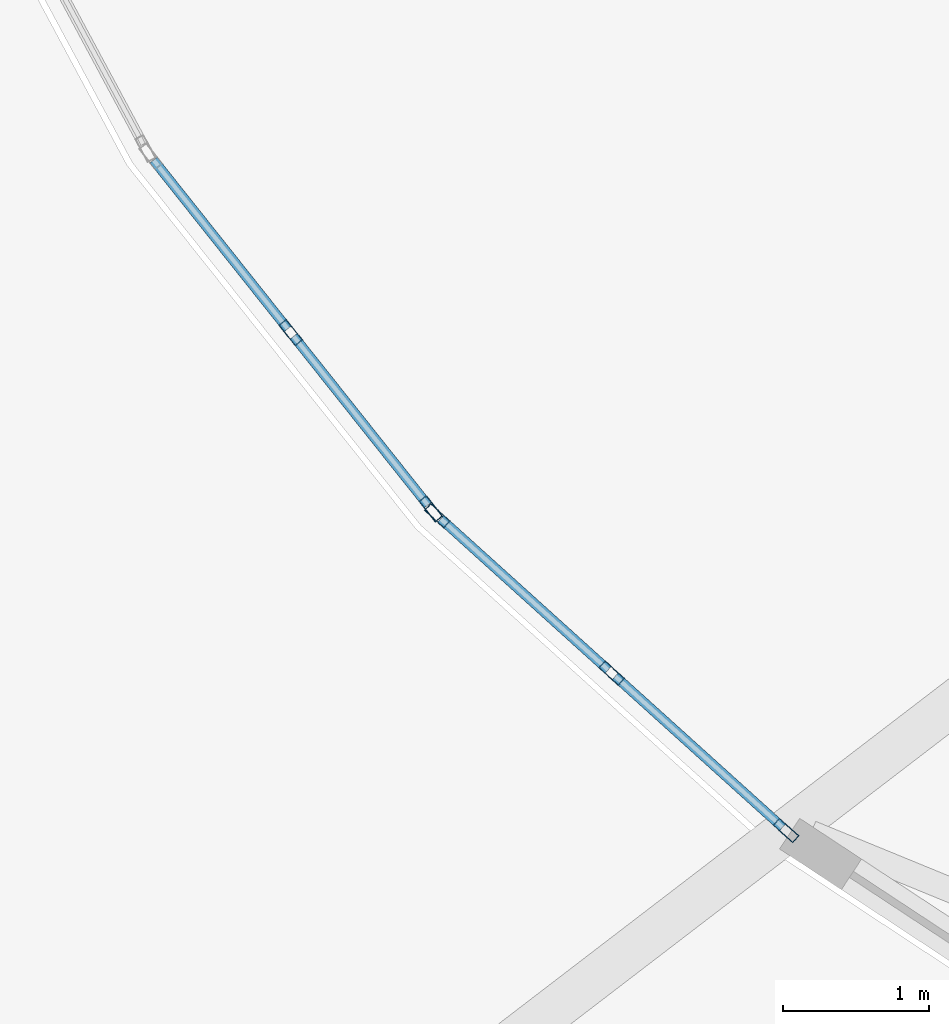
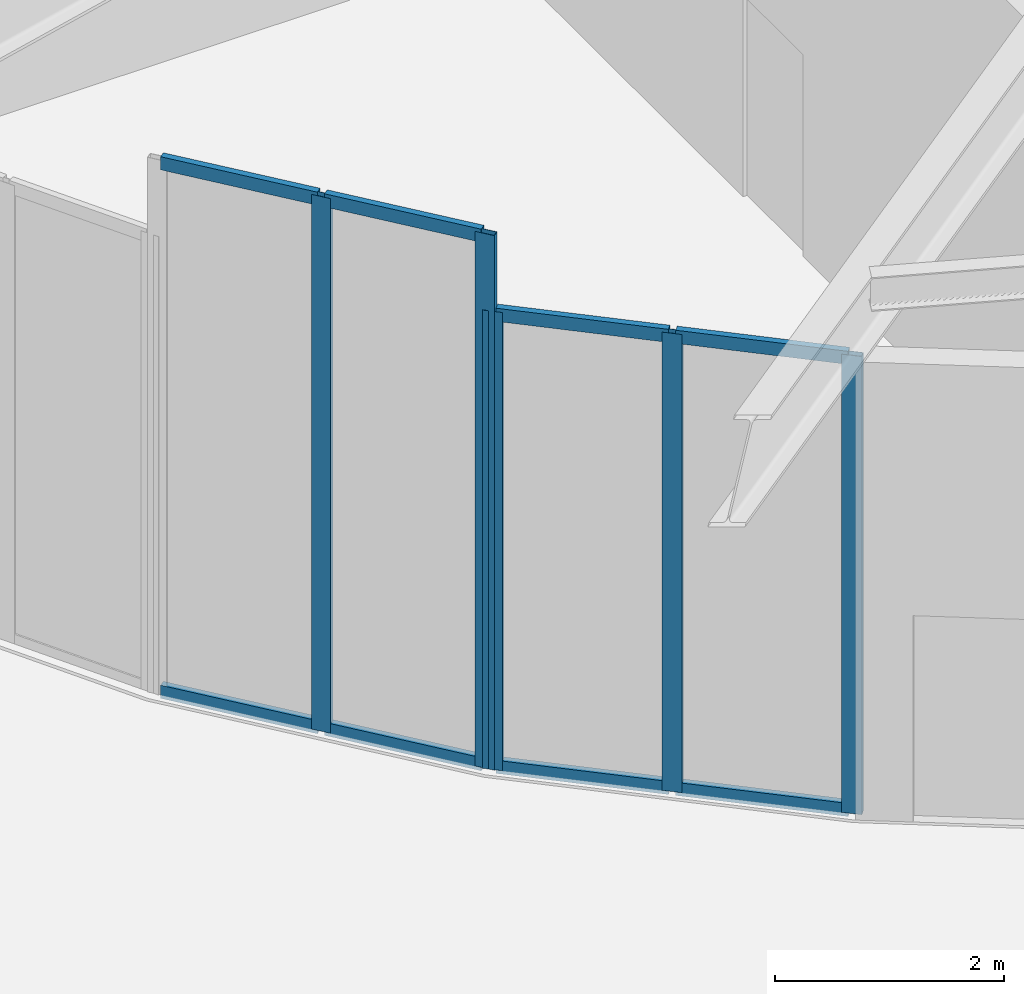
# One storey, part 6 of 46: 13 members, 2 elements without a shape of their own.
"""IFC4 building model written with IfcOpenShell, lengths in metres."""

from ifc_helpers import new_model, si_unit, direction, frame, origin, origin_2d, place, context, subcontext, project, spatial, hollow_rectangle, extrude, source, transform, mapped, material, layer, layer_set, material_profile, profile_set, type_object, element, aggregate, save


model = new_model("IFC4")

# Units and contexts
model_context = context("Model", 3, precision=1e-05, world=origin(), true_north=direction((0.0, 1.0)))
body_context = subcontext(model_context, "Body", "Model", "MODEL_VIEW")
ifc_project = project(units=[si_unit("LENGTHUNIT", "METRE"), si_unit("AREAUNIT", "SQUARE_METRE"), si_unit("VOLUMEUNIT", "CUBIC_METRE"), si_unit("PLANEANGLEUNIT", "RADIAN"), si_unit("MASSUNIT", "GRAM", prefix="KILO")], contexts=[model_context])

# Site, building, storey
site_placement = place(None, origin())
site = spatial("IfcSite", under=ifc_project, at=site_placement, CompositionType="ELEMENT")
building_placement = place(site_placement, origin())
building = spatial("IfcBuilding", under=site, at=building_placement, Name="Linh Dai School and Residence Tower", CompositionType="ELEMENT")
storey_placement = place(building_placement, origin())
storey = spatial("IfcBuildingStorey", under=building, at=storey_placement, Name="L00", CompositionType="ELEMENT", Elevation=0.0)

# Curtain wall, members
ifc_material_1 = material(Name="Aluminium Anodised Curtain Wall", Category="aluminium")
ifc_layer = layer(ifc_material_1, 0.179931640625)
ifc_layer_set = layer_set([ifc_layer], Name="Aluminium Anodised Curtain Wall")
curtain_wall_type = type_object("IfcCurtainWallType", Name="CW-SYS-1", PredefinedType="USERDEFINED", material=ifc_layer_set)
curtain_wall_1_placement = place(storey_placement, origin())
curtain_wall_1 = element("IfcCurtainWall", 1, at=curtain_wall_1_placement, inside=storey, type_object=curtain_wall_type, Name="L00 CW1 Curtain Wall 25", ObjectType="UNITISED CURTAIN WALL", PredefinedType="USERDEFINED")
ifc_material_2 = material(Name="Aluminium Alloy 6063-T6", Category="aluminium")
ifc_material_profile_1 = material_profile(ifc_material_2, hollow_rectangle(XDim=0.06494140625, YDim=0.179931640625, WallThickness=0.00390625, at=origin_2d()), Name="RHS 180x65x4")
ifc_profile_set_1 = profile_set([ifc_material_profile_1], Name="Aluminium Alloy 6063-T6")
member_type_1 = type_object("IfcMemberType", Name="CW-SYS-1-MUL", PredefinedType="MULLION", material=ifc_profile_set_1)
shared_shape_1 = source(origin(), body_context, "Body", "SweptSolid", [
    extrude(hollow_rectangle(XDim=0.06494140625, YDim=0.179931640625, WallThickness=0.00390625, at=origin_2d()), origin(), (0.0, 0.0, 1.0), 4.885009765625),
])
member_1_placement = place(storey_placement, frame((19.08154296875, 14.039306640625, 0.0), z_axis=(0.0, 0.0, 1.0), x_axis=(-0.669994689825, -0.742365890654, 0.0)))
member_1 = element("IfcMember", 2, at=member_1_placement, type_object=member_type_1, Name="CW1 mullion 1", PredefinedType="MULLION", context=body_context, shape_type="MappedRepresentation", body=[
    mapped(shared_shape_1, transform((0.0, 0.0, 0.0), x_axis=(1.0, 0.0, 0.0), y_axis=(0.0, 1.0, 0.0), z_axis=(0.0, 0.0, 1.0), scale=1.0)),
])
member_2_placement = place(storey_placement, frame((17.89013671875, 15.114501953125, 0.0), z_axis=(0.0, 0.0, 1.0), x_axis=(-0.669994689825, -0.742365890654, 0.0)))
member_2 = element("IfcMember", 3, at=member_2_placement, type_object=member_type_1, Name="CW1 mullion 2", PredefinedType="MULLION", context=body_context, shape_type="MappedRepresentation", body=[
    mapped(shared_shape_1, transform((0.0, 0.0, 0.0), x_axis=(1.0, 0.0, 0.0), y_axis=(0.0, 1.0, 0.0), z_axis=(0.0, 0.0, 1.0), scale=1.0)),
])
member_3_placement = place(storey_placement, frame((16.69873046875, 16.18994140625, 0.0), z_axis=(0.0, 0.0, 1.0), x_axis=(-0.669994689825, -0.742365890654, 0.0)))
member_3 = element("IfcMember", 4, at=member_3_placement, type_object=member_type_1, Name="CW1 mullion 3", PredefinedType="MULLION", context=body_context, shape_type="MappedRepresentation", body=[
    mapped(shared_shape_1, transform((0.0, 0.0, 0.0), x_axis=(1.0, 0.0, 0.0), y_axis=(0.0, 1.0, 0.0), z_axis=(0.0, 0.0, 1.0), scale=1.0)),
])

curtain_wall_2_placement = place(storey_placement, origin())
curtain_wall_2 = element("IfcCurtainWall", 5, at=curtain_wall_2_placement, inside=storey, type_object=curtain_wall_type, Name="L00 CW1 Curtain Wall 24", ObjectType="UNITISED CURTAIN WALL", PredefinedType="USERDEFINED")
shared_shape_2 = source(origin(), body_context, "Body", "SweptSolid", [
    extrude(hollow_rectangle(XDim=0.06494140625, YDim=0.179931640625, WallThickness=0.00390625, at=origin_2d()), origin(), (0.0, 0.0, 1.0), 5.699951171875),
])
member_4_placement = place(storey_placement, frame((16.654296875, 16.237060546875, 0.0), z_axis=(0.0, 0.0, 1.0), x_axis=(-0.782771274016, -0.622309515093, 0.0)))
member_4 = element("IfcMember", 6, at=member_4_placement, type_object=member_type_1, Name="CW1 mullion 1", PredefinedType="MULLION", context=body_context, shape_type="MappedRepresentation", body=[
    mapped(shared_shape_2, transform((0.0, 0.0, 0.0), x_axis=(1.0, 0.0, 0.0), y_axis=(0.0, 1.0, 0.0), z_axis=(0.0, 0.0, 1.0), scale=1.0)),
])
member_5_placement = place(storey_placement, frame((15.697265625, 17.44091796875, 0.0), z_axis=(0.0, 0.0, 1.0), x_axis=(-0.782771274016, -0.622309515093, 0.0)))
member_5 = element("IfcMember", 7, at=member_5_placement, type_object=member_type_1, Name="CW1 mullion 2", PredefinedType="MULLION", context=body_context, shape_type="MappedRepresentation", body=[
    mapped(shared_shape_2, transform((0.0, 0.0, 0.0), x_axis=(1.0, 0.0, 0.0), y_axis=(0.0, 1.0, 0.0), z_axis=(0.0, 0.0, 1.0), scale=1.0)),
])
ifc_material_profile_2 = material_profile(ifc_material_2, hollow_rectangle(XDim=0.06494140625, YDim=0.139892578125, WallThickness=0.00390625, at=origin_2d()), Name="RHS 140x65x4")
ifc_profile_set_2 = profile_set([ifc_material_profile_2], Name="Aluminium Alloy 6063-T6")
member_type_2 = type_object("IfcMemberType", Name="CW-SYS-1-TRN", PredefinedType="USERDEFINED", material=ifc_profile_set_2)
shared_shape_3 = source(origin(), body_context, "Body", "SweptSolid", [
    extrude(hollow_rectangle(XDim=0.06494140625, YDim=0.139892578125, WallThickness=0.00390625, at=origin_2d()), origin(), (0.0, 0.0, 1.0), 1.47265625),
])
member_6_placement = place(storey_placement, frame((16.634033203125, 16.2626953125, 0.032470703125), z_axis=(-0.622306638591, 0.782773560849, 0.0), x_axis=(-0.782773560849, -0.622306638591, 0.0)))
member_6 = element("IfcMember", 8, at=member_6_placement, type_object=member_type_2, Name="CW1 transom 1.1", ObjectType="TRANSOM", PredefinedType="USERDEFINED", context=body_context, shape_type="MappedRepresentation", body=[
    mapped(shared_shape_3, transform((0.0, 0.0, 0.0), x_axis=(1.0, 0.0, 0.0), y_axis=(0.0, 1.0, 0.0), z_axis=(0.0, 0.0, 1.0), scale=1.0)),
])
member_7_placement = place(storey_placement, frame((16.634033203125, 16.2626953125, 5.66748046875), z_axis=(-0.622306638591, 0.782773560849, 0.0), x_axis=(-0.782773560849, -0.622306638591, 0.0)))
member_7 = element("IfcMember", 9, at=member_7_placement, type_object=member_type_2, Name="CW1 transom 1.2", ObjectType="TRANSOM", PredefinedType="USERDEFINED", context=body_context, shape_type="MappedRepresentation", body=[
    mapped(shared_shape_3, transform((0.0, 0.0, 0.0), x_axis=(1.0, 0.0, 0.0), y_axis=(0.0, 1.0, 0.0), z_axis=(0.0, 0.0, 1.0), scale=1.0)),
])
member_8_placement = place(storey_placement, frame((15.677001953125, 17.46630859375, 0.032470703125), z_axis=(-0.622306638591, 0.782773560849, 0.0), x_axis=(-0.782773560849, -0.622306638591, 0.0)))
member_8 = element("IfcMember", 10, at=member_8_placement, type_object=member_type_2, Name="CW1 transom 2.1", ObjectType="TRANSOM", PredefinedType="USERDEFINED", context=body_context, shape_type="MappedRepresentation", body=[
    mapped(shared_shape_3, transform((0.0, 0.0, 0.0), x_axis=(1.0, 0.0, 0.0), y_axis=(0.0, 1.0, 0.0), z_axis=(0.0, 0.0, 1.0), scale=1.0)),
])
member_9_placement = place(storey_placement, frame((15.677001953125, 17.46630859375, 5.66748046875), z_axis=(-0.622306638591, 0.782773560849, 0.0), x_axis=(-0.782773560849, -0.622306638591, 0.0)))
member_9 = element("IfcMember", 11, at=member_9_placement, type_object=member_type_2, Name="CW1 transom 2.2", ObjectType="TRANSOM", PredefinedType="USERDEFINED", context=body_context, shape_type="MappedRepresentation", body=[
    mapped(shared_shape_3, transform((0.0, 0.0, 0.0), x_axis=(1.0, 0.0, 0.0), y_axis=(0.0, 1.0, 0.0), z_axis=(0.0, 0.0, 1.0), scale=1.0)),
])
aggregate(curtain_wall_2, [member_4, member_5, member_6, member_7, member_8, member_9])

# Member
shared_shape_4 = source(origin(), body_context, "Body", "SweptSolid", [
    extrude(hollow_rectangle(XDim=0.06494140625, YDim=0.139892578125, WallThickness=0.00390625, at=origin_2d()), origin(), (0.0, 0.0, 1.0), 1.539794921875),
])
member_10_placement = place(storey_placement, frame((17.865966796875, 15.136474609375, 0.032470703125), z_axis=(-0.742331565787, 0.670032720422, 0.0), x_axis=(-0.670032720422, -0.742331565787, 0.0)))
member_10 = element("IfcMember", 12, at=member_10_placement, type_object=member_type_2, Name="CW1 transom 2.1", ObjectType="TRANSOM", PredefinedType="USERDEFINED", context=body_context, shape_type="MappedRepresentation", body=[
    mapped(shared_shape_4, transform((0.0, 0.0, 0.0), x_axis=(1.0, 0.0, 0.0), y_axis=(0.0, 1.0, 0.0), z_axis=(0.0, 0.0, 1.0), scale=1.0)),
])

member_11_placement = place(storey_placement, frame((17.865966796875, 15.136474609375, 4.8525390625), z_axis=(-0.742331565787, 0.670032720422, 0.0), x_axis=(-0.670032720422, -0.742331565787, 0.0)))
member_11 = element("IfcMember", 13, at=member_11_placement, type_object=member_type_2, Name="CW1 transom 2.2", ObjectType="TRANSOM", PredefinedType="USERDEFINED", context=body_context, shape_type="MappedRepresentation", body=[
    mapped(shared_shape_4, transform((0.0, 0.0, 0.0), x_axis=(1.0, 0.0, 0.0), y_axis=(0.0, 1.0, 0.0), z_axis=(0.0, 0.0, 1.0), scale=1.0)),
])

shared_shape_5 = source(origin(), body_context, "Body", "SweptSolid", [
    extrude(hollow_rectangle(XDim=0.06494140625, YDim=0.139892578125, WallThickness=0.00390625, at=origin_2d()), origin(), (0.0, 0.0, 1.0), 1.5400390625),
])
member_12_placement = place(storey_placement, frame((19.0576171875, 14.06103515625, 0.032470703125), z_axis=(-0.742402733314, 0.669953865254, 0.0), x_axis=(-0.669953865254, -0.742402733314, 0.0)))
member_12 = element("IfcMember", 14, at=member_12_placement, type_object=member_type_2, Name="CW1 transom 1.1", ObjectType="TRANSOM", PredefinedType="USERDEFINED", context=body_context, shape_type="MappedRepresentation", body=[
    mapped(shared_shape_5, transform((0.0, 0.0, 0.0), x_axis=(1.0, 0.0, 0.0), y_axis=(0.0, 1.0, 0.0), z_axis=(0.0, 0.0, 1.0), scale=1.0)),
])

member_13_placement = place(storey_placement, frame((19.0576171875, 14.06103515625, 4.8525390625), z_axis=(-0.742402733314, 0.669953865254, 0.0), x_axis=(-0.669953865254, -0.742402733314, 0.0)))
member_13 = element("IfcMember", 15, at=member_13_placement, type_object=member_type_2, Name="CW1 transom 1.2", ObjectType="TRANSOM", PredefinedType="USERDEFINED", context=body_context, shape_type="MappedRepresentation", body=[
    mapped(shared_shape_5, transform((0.0, 0.0, 0.0), x_axis=(1.0, 0.0, 0.0), y_axis=(0.0, 1.0, 0.0), z_axis=(0.0, 0.0, 1.0), scale=1.0)),
])

aggregate(curtain_wall_1, [member_1, member_2, member_3, member_12, member_13, member_10, member_11])

save(model, "model.ifc")
